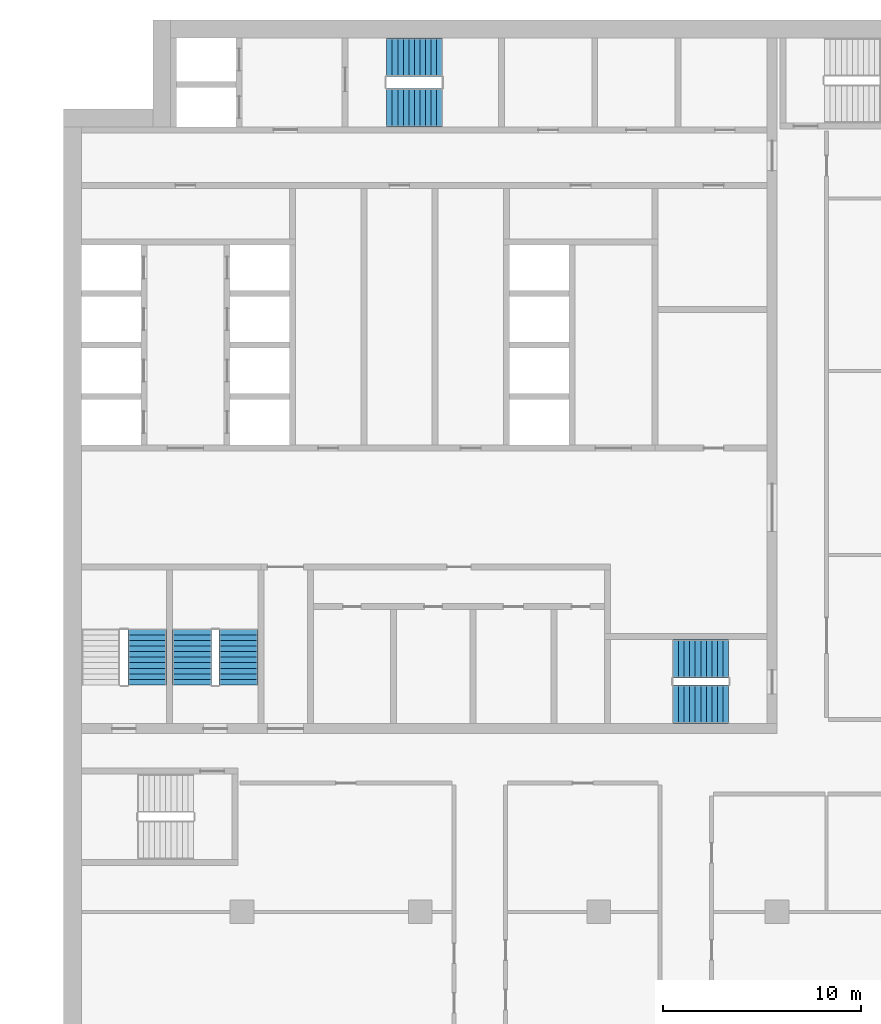
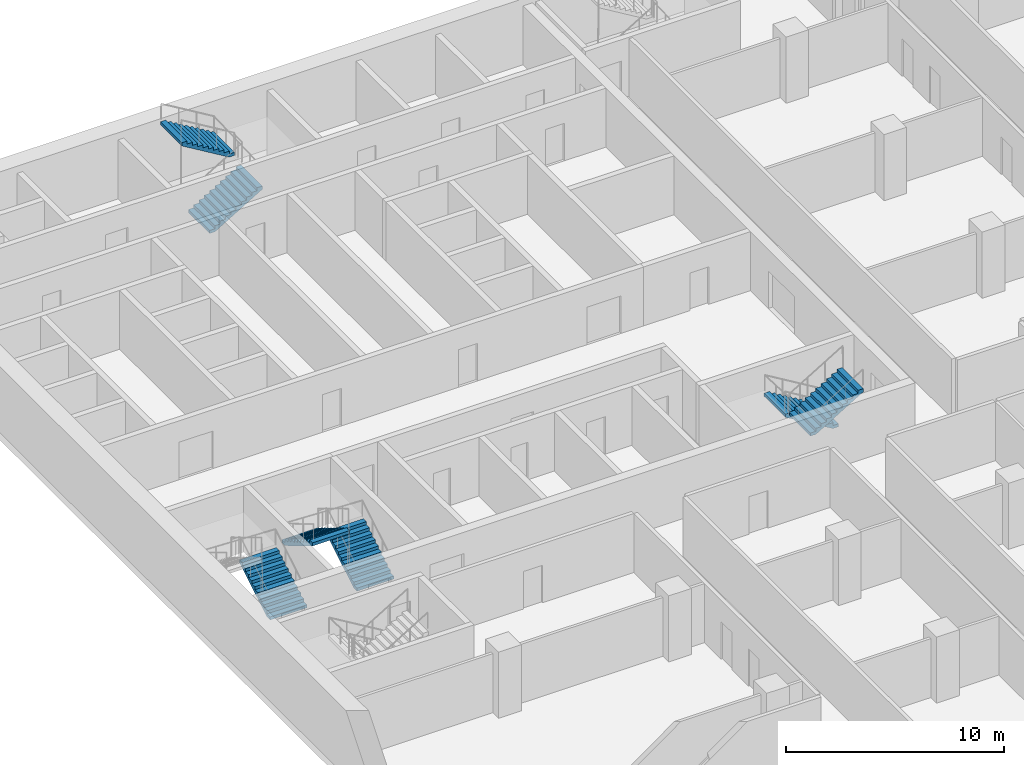
# One storey, part 17 of 23: 7 stair flights, 4 elements without a shape of their own.
"""IFC4 building model written with IfcOpenShell, lengths in metres."""

from ifc_helpers import new_model, si_unit, direction, frame, origin, place, context, subcontext, project, spatial, polyline, outline, extrude, material, type_object, element, aggregate, save


model = new_model("IFC4")

# Units and contexts
model_context = context("Model", 3, precision=1e-05, world=origin(), true_north=direction((0.0, 1.0)))
body_context = subcontext(model_context, "Body", "Model", "MODEL_VIEW")
ifc_project = project(units=[si_unit("LENGTHUNIT", "METRE"), si_unit("AREAUNIT", "SQUARE_METRE"), si_unit("VOLUMEUNIT", "CUBIC_METRE"), si_unit("PLANEANGLEUNIT", "RADIAN"), si_unit("MASSUNIT", "GRAM", prefix="KILO")], contexts=[model_context])

# Site, building, storey
site_placement = place(None, origin())
site = spatial("IfcSite", under=ifc_project, at=site_placement, CompositionType="ELEMENT")
building_placement = place(site_placement, origin())
building = spatial("IfcBuilding", under=site, at=building_placement, Name="Hunhe Ridgeline Campus", CompositionType="ELEMENT")
storey_placement = place(building_placement, frame((0.0, 0.0, 152.300048828125)))
storey = spatial("IfcBuildingStorey", under=building, at=storey_placement, Name="L38", CompositionType="ELEMENT", Elevation=152.300048828125)

# Stair, stair flights
ifc_material = material(Name="Concrete C40", Category="concrete")
stair_type = type_object("IfcStairType", Name="Reinforced concrete dog-leg stair 1950 Concrete C40", PredefinedType="HALF_TURN_STAIR", material=ifc_material)
stair_1_placement = place(storey_placement, origin())
stair_1 = element("IfcStair", 1, at=stair_1_placement, inside=storey, type_object=stair_type, Name="L38 S1", PredefinedType="HALF_TURN_STAIR")
stair_flight_type = type_object("IfcStairFlightType", Name="Reinforced concrete stair flight 1950 Concrete C40", PredefinedType="STRAIGHT", material=ifc_material)
stair_flight_1_placement = place(storey_placement, frame((16.300048828125, 94.574951171875, 0.0), z_axis=(0.0, 0.0, 1.0), x_axis=(1.0, 0.0, 0.0)))
stair_flight_1 = element("IfcStairFlight", 2, at=stair_flight_1_placement, type_object=stair_flight_type, Name="ST1 flight 1", NumberOfRisers=11, NumberOfTreads=10, PredefinedType="STRAIGHT", RiserHeight=0.168181818, TreadLength=0.28, context=body_context, shape_type="SweptSolid", body=[
    extrude(outline(polyline([(0.0, 0.0), (0.0, 0.168212890625), (0.280029296875, 0.168212890625), (0.280029296875, 0.33642578125), (0.56005859375, 0.33642578125), (0.56005859375, 0.504638671875), (0.840087890625, 0.504638671875), (0.840087890625, 0.672607421875), (1.1201171875, 0.672607421875), (1.1201171875, 0.8408203125), (1.39990234375, 0.8408203125), (1.39990234375, 1.009033203125), (1.679931640625, 1.009033203125), (1.679931640625, 1.17724609375), (1.9599609375, 1.17724609375), (1.9599609375, 1.345458984375), (2.239990234375, 1.345458984375), (2.239990234375, 1.513671875), (2.52001953125, 1.513671875), (2.52001953125, 1.681884765625), (2.800048828125, 1.681884765625), (2.800048828125, 1.85009765625), (2.800048828125, 1.5068359375), (0.291015625, 0.0), (0.0, 0.0)])), frame((0.0, 0.97509765625, 0.0), z_axis=(0.0, -1.0, 0.0), x_axis=(1.0, 0.0, 0.0)), (0.0, 0.0, 1.0), 1.949951171875),
    extrude(outline(polyline([(0.030029296875, 0.030029296875), (0.030029296875, 0.13818359375), (0.31005859375, 0.13818359375), (0.31005859375, 0.306396484375), (0.590087890625, 0.306396484375), (0.590087890625, 0.474609375), (0.8701171875, 0.474609375), (0.8701171875, 0.642578125), (1.14990234375, 0.642578125), (1.14990234375, 0.810791015625), (1.429931640625, 0.810791015625), (1.429931640625, 0.97900390625), (1.7099609375, 0.97900390625), (1.7099609375, 1.147216796875), (1.989990234375, 1.147216796875), (1.989990234375, 1.3154296875), (2.27001953125, 1.3154296875), (2.27001953125, 1.483642578125), (2.550048828125, 1.483642578125), (2.550048828125, 1.65185546875), (2.77001953125, 1.65185546875), (2.77001953125, 1.52392578125), (0.28271484375, 0.030029296875), (0.030029296875, 0.030029296875)])), frame((0.0, -0.070068359375, 0.0), z_axis=(0.0, -1.0, 0.0), x_axis=(1.0, 0.0, 0.0)), (0.0, 0.0, 1.0), 0.019775390625),
    extrude(outline(polyline([(0.030029296875, 0.030029296875), (0.030029296875, 0.13818359375), (0.31005859375, 0.13818359375), (0.31005859375, 0.306396484375), (0.590087890625, 0.306396484375), (0.590087890625, 0.474609375), (0.8701171875, 0.474609375), (0.8701171875, 0.642578125), (1.14990234375, 0.642578125), (1.14990234375, 0.810791015625), (1.429931640625, 0.810791015625), (1.429931640625, 0.97900390625), (1.7099609375, 0.97900390625), (1.7099609375, 1.147216796875), (1.989990234375, 1.147216796875), (1.989990234375, 1.3154296875), (2.27001953125, 1.3154296875), (2.27001953125, 1.483642578125), (2.550048828125, 1.483642578125), (2.550048828125, 1.65185546875), (2.77001953125, 1.65185546875), (2.77001953125, 1.52392578125), (0.28271484375, 0.030029296875), (0.030029296875, 0.030029296875)])), frame((0.0, 0.010009765625, 0.0), z_axis=(0.0, -1.0, 0.0), x_axis=(1.0, 0.0, 0.0)), (0.0, 0.0, 1.0), 0.019775390625),
    extrude(outline(polyline([(0.030029296875, 0.030029296875), (0.030029296875, 0.13818359375), (0.31005859375, 0.13818359375), (0.31005859375, 0.306396484375), (0.590087890625, 0.306396484375), (0.590087890625, 0.474609375), (0.8701171875, 0.474609375), (0.8701171875, 0.642578125), (1.14990234375, 0.642578125), (1.14990234375, 0.810791015625), (1.429931640625, 0.810791015625), (1.429931640625, 0.97900390625), (1.7099609375, 0.97900390625), (1.7099609375, 1.147216796875), (1.989990234375, 1.147216796875), (1.989990234375, 1.3154296875), (2.27001953125, 1.3154296875), (2.27001953125, 1.483642578125), (2.550048828125, 1.483642578125), (2.550048828125, 1.65185546875), (2.77001953125, 1.65185546875), (2.77001953125, 1.52392578125), (0.28271484375, 0.030029296875), (0.030029296875, 0.030029296875)])), frame((0.0, 0.090087890625, 0.0), z_axis=(0.0, -1.0, 0.0), x_axis=(1.0, 0.0, 0.0)), (0.0, 0.0, 1.0), 0.019775390625),
])
stair_flight_2_placement = place(storey_placement, frame((19.10009765625, 97.125, 1.849853515625), z_axis=(0.0, 0.0, 1.0), x_axis=(-1.0, 0.0, 0.0)))
stair_flight_2 = element("IfcStairFlight", 3, at=stair_flight_2_placement, type_object=stair_flight_type, Name="ST1 flight 2", NumberOfRisers=11, NumberOfTreads=10, PredefinedType="STRAIGHT", RiserHeight=0.168181818, TreadLength=0.28, context=body_context, shape_type="SweptSolid", body=[
    extrude(outline(polyline([(0.0, 0.0), (0.0, 0.168212890625), (0.280029296875, 0.168212890625), (0.280029296875, 0.33642578125), (0.56005859375, 0.33642578125), (0.56005859375, 0.504638671875), (0.840087890625, 0.504638671875), (0.840087890625, 0.672607421875), (1.1201171875, 0.672607421875), (1.1201171875, 0.8408203125), (1.39990234375, 0.8408203125), (1.39990234375, 1.009033203125), (1.679931640625, 1.009033203125), (1.679931640625, 1.17724609375), (1.9599609375, 1.17724609375), (1.9599609375, 1.345458984375), (2.239990234375, 1.345458984375), (2.239990234375, 1.513671875), (2.52001953125, 1.513671875), (2.52001953125, 1.681884765625), (2.800048828125, 1.681884765625), (2.800048828125, 1.85009765625), (2.800048828125, 1.5068359375), (0.291015625, 0.0), (0.0, 0.0)])), frame((0.0, 0.97509765625, 0.0), z_axis=(0.0, -1.0, 0.0), x_axis=(1.0, 0.0, 0.0)), (0.0, 0.0, 1.0), 1.949951171875),
    extrude(outline(polyline([(0.030029296875, 0.030029296875), (0.030029296875, 0.13818359375), (0.31005859375, 0.13818359375), (0.31005859375, 0.306396484375), (0.590087890625, 0.306396484375), (0.590087890625, 0.474609375), (0.8701171875, 0.474609375), (0.8701171875, 0.642578125), (1.14990234375, 0.642578125), (1.14990234375, 0.810791015625), (1.429931640625, 0.810791015625), (1.429931640625, 0.97900390625), (1.7099609375, 0.97900390625), (1.7099609375, 1.147216796875), (1.989990234375, 1.147216796875), (1.989990234375, 1.3154296875), (2.27001953125, 1.3154296875), (2.27001953125, 1.483642578125), (2.550048828125, 1.483642578125), (2.550048828125, 1.65185546875), (2.77001953125, 1.65185546875), (2.77001953125, 1.52392578125), (0.28271484375, 0.030029296875), (0.030029296875, 0.030029296875)])), frame((0.0, -0.070068359375, 0.0), z_axis=(0.0, -1.0, 0.0), x_axis=(1.0, 0.0, 0.0)), (0.0, 0.0, 1.0), 0.019775390625),
    extrude(outline(polyline([(0.030029296875, 0.030029296875), (0.030029296875, 0.13818359375), (0.31005859375, 0.13818359375), (0.31005859375, 0.306396484375), (0.590087890625, 0.306396484375), (0.590087890625, 0.474609375), (0.8701171875, 0.474609375), (0.8701171875, 0.642578125), (1.14990234375, 0.642578125), (1.14990234375, 0.810791015625), (1.429931640625, 0.810791015625), (1.429931640625, 0.97900390625), (1.7099609375, 0.97900390625), (1.7099609375, 1.147216796875), (1.989990234375, 1.147216796875), (1.989990234375, 1.3154296875), (2.27001953125, 1.3154296875), (2.27001953125, 1.483642578125), (2.550048828125, 1.483642578125), (2.550048828125, 1.65185546875), (2.77001953125, 1.65185546875), (2.77001953125, 1.52392578125), (0.28271484375, 0.030029296875), (0.030029296875, 0.030029296875)])), frame((0.0, 0.010009765625, 0.0), z_axis=(0.0, -1.0, 0.0), x_axis=(1.0, 0.0, 0.0)), (0.0, 0.0, 1.0), 0.019775390625),
    extrude(outline(polyline([(0.030029296875, 0.030029296875), (0.030029296875, 0.13818359375), (0.31005859375, 0.13818359375), (0.31005859375, 0.306396484375), (0.590087890625, 0.306396484375), (0.590087890625, 0.474609375), (0.8701171875, 0.474609375), (0.8701171875, 0.642578125), (1.14990234375, 0.642578125), (1.14990234375, 0.810791015625), (1.429931640625, 0.810791015625), (1.429931640625, 0.97900390625), (1.7099609375, 0.97900390625), (1.7099609375, 1.147216796875), (1.989990234375, 1.147216796875), (1.989990234375, 1.3154296875), (2.27001953125, 1.3154296875), (2.27001953125, 1.483642578125), (2.550048828125, 1.483642578125), (2.550048828125, 1.65185546875), (2.77001953125, 1.65185546875), (2.77001953125, 1.52392578125), (0.28271484375, 0.030029296875), (0.030029296875, 0.030029296875)])), frame((0.0, 0.090087890625, 0.0), z_axis=(0.0, -1.0, 0.0), x_axis=(1.0, 0.0, 0.0)), (0.0, 0.0, 1.0), 0.019775390625),
])
aggregate(stair_1, [stair_flight_1, stair_flight_2])

stair_2_placement = place(storey_placement, origin())
stair_2 = element("IfcStair", 4, at=stair_2_placement, inside=storey, type_object=stair_type, Name="L38 S2", PredefinedType="HALF_TURN_STAIR")
stair_flight_3_placement = place(storey_placement, frame((33.550048828125, 66.77490234375, 0.0), z_axis=(0.0, 0.0, 1.0), x_axis=(-1.0, 0.0, 0.0)))
stair_flight_3 = element("IfcStairFlight", 5, at=stair_flight_3_placement, type_object=stair_flight_type, Name="ST2 flight 1", NumberOfRisers=11, NumberOfTreads=10, PredefinedType="STRAIGHT", RiserHeight=0.168181818, TreadLength=0.28, context=body_context, shape_type="SweptSolid", body=[
    extrude(outline(polyline([(0.0, 0.0), (0.0, 0.168212890625), (0.280029296875, 0.168212890625), (0.280029296875, 0.33642578125), (0.56005859375, 0.33642578125), (0.56005859375, 0.504638671875), (0.840087890625, 0.504638671875), (0.840087890625, 0.672607421875), (1.1201171875, 0.672607421875), (1.1201171875, 0.8408203125), (1.39990234375, 0.8408203125), (1.39990234375, 1.009033203125), (1.679931640625, 1.009033203125), (1.679931640625, 1.17724609375), (1.9599609375, 1.17724609375), (1.9599609375, 1.345458984375), (2.239990234375, 1.345458984375), (2.239990234375, 1.513671875), (2.52001953125, 1.513671875), (2.52001953125, 1.681884765625), (2.800048828125, 1.681884765625), (2.800048828125, 1.85009765625), (2.800048828125, 1.5068359375), (0.291015625, 0.0), (0.0, 0.0)])), frame((0.0, 0.97509765625, 0.0), z_axis=(0.0, -1.0, 0.0), x_axis=(1.0, 0.0, 0.0)), (0.0, 0.0, 1.0), 1.949951171875),
    extrude(outline(polyline([(0.030029296875, 0.030029296875), (0.030029296875, 0.13818359375), (0.31005859375, 0.13818359375), (0.31005859375, 0.306396484375), (0.590087890625, 0.306396484375), (0.590087890625, 0.474609375), (0.8701171875, 0.474609375), (0.8701171875, 0.642578125), (1.14990234375, 0.642578125), (1.14990234375, 0.810791015625), (1.429931640625, 0.810791015625), (1.429931640625, 0.97900390625), (1.7099609375, 0.97900390625), (1.7099609375, 1.147216796875), (1.989990234375, 1.147216796875), (1.989990234375, 1.3154296875), (2.27001953125, 1.3154296875), (2.27001953125, 1.483642578125), (2.550048828125, 1.483642578125), (2.550048828125, 1.65185546875), (2.77001953125, 1.65185546875), (2.77001953125, 1.52392578125), (0.28271484375, 0.030029296875), (0.030029296875, 0.030029296875)])), frame((0.0, -0.070068359375, 0.0), z_axis=(0.0, -1.0, 0.0), x_axis=(1.0, 0.0, 0.0)), (0.0, 0.0, 1.0), 0.019775390625),
    extrude(outline(polyline([(0.030029296875, 0.030029296875), (0.030029296875, 0.13818359375), (0.31005859375, 0.13818359375), (0.31005859375, 0.306396484375), (0.590087890625, 0.306396484375), (0.590087890625, 0.474609375), (0.8701171875, 0.474609375), (0.8701171875, 0.642578125), (1.14990234375, 0.642578125), (1.14990234375, 0.810791015625), (1.429931640625, 0.810791015625), (1.429931640625, 0.97900390625), (1.7099609375, 0.97900390625), (1.7099609375, 1.147216796875), (1.989990234375, 1.147216796875), (1.989990234375, 1.3154296875), (2.27001953125, 1.3154296875), (2.27001953125, 1.483642578125), (2.550048828125, 1.483642578125), (2.550048828125, 1.65185546875), (2.77001953125, 1.65185546875), (2.77001953125, 1.52392578125), (0.28271484375, 0.030029296875), (0.030029296875, 0.030029296875)])), frame((0.0, 0.010009765625, 0.0), z_axis=(0.0, -1.0, 0.0), x_axis=(1.0, 0.0, 0.0)), (0.0, 0.0, 1.0), 0.019775390625),
    extrude(outline(polyline([(0.030029296875, 0.030029296875), (0.030029296875, 0.13818359375), (0.31005859375, 0.13818359375), (0.31005859375, 0.306396484375), (0.590087890625, 0.306396484375), (0.590087890625, 0.474609375), (0.8701171875, 0.474609375), (0.8701171875, 0.642578125), (1.14990234375, 0.642578125), (1.14990234375, 0.810791015625), (1.429931640625, 0.810791015625), (1.429931640625, 0.97900390625), (1.7099609375, 0.97900390625), (1.7099609375, 1.147216796875), (1.989990234375, 1.147216796875), (1.989990234375, 1.3154296875), (2.27001953125, 1.3154296875), (2.27001953125, 1.483642578125), (2.550048828125, 1.483642578125), (2.550048828125, 1.65185546875), (2.77001953125, 1.65185546875), (2.77001953125, 1.52392578125), (0.28271484375, 0.030029296875), (0.030029296875, 0.030029296875)])), frame((0.0, 0.090087890625, 0.0), z_axis=(0.0, -1.0, 0.0), x_axis=(1.0, 0.0, 0.0)), (0.0, 0.0, 1.0), 0.019775390625),
])
stair_flight_4_placement = place(storey_placement, frame((30.75, 64.47509765625, 1.849853515625), z_axis=(0.0, 0.0, 1.0), x_axis=(1.0, 0.0, 0.0)))
stair_flight_4 = element("IfcStairFlight", 6, at=stair_flight_4_placement, type_object=stair_flight_type, Name="ST2 flight 2", NumberOfRisers=11, NumberOfTreads=10, PredefinedType="STRAIGHT", RiserHeight=0.168181818, TreadLength=0.28, context=body_context, shape_type="SweptSolid", body=[
    extrude(outline(polyline([(0.0, 0.0), (0.0, 0.168212890625), (0.280029296875, 0.168212890625), (0.280029296875, 0.33642578125), (0.56005859375, 0.33642578125), (0.56005859375, 0.504638671875), (0.840087890625, 0.504638671875), (0.840087890625, 0.672607421875), (1.1201171875, 0.672607421875), (1.1201171875, 0.8408203125), (1.39990234375, 0.8408203125), (1.39990234375, 1.009033203125), (1.679931640625, 1.009033203125), (1.679931640625, 1.17724609375), (1.9599609375, 1.17724609375), (1.9599609375, 1.345458984375), (2.239990234375, 1.345458984375), (2.239990234375, 1.513671875), (2.52001953125, 1.513671875), (2.52001953125, 1.681884765625), (2.800048828125, 1.681884765625), (2.800048828125, 1.85009765625), (2.800048828125, 1.5068359375), (0.291015625, 0.0), (0.0, 0.0)])), frame((0.0, 0.97509765625, 0.0), z_axis=(0.0, -1.0, 0.0), x_axis=(1.0, 0.0, 0.0)), (0.0, 0.0, 1.0), 1.949951171875),
    extrude(outline(polyline([(0.030029296875, 0.030029296875), (0.030029296875, 0.13818359375), (0.31005859375, 0.13818359375), (0.31005859375, 0.306396484375), (0.590087890625, 0.306396484375), (0.590087890625, 0.474609375), (0.8701171875, 0.474609375), (0.8701171875, 0.642578125), (1.14990234375, 0.642578125), (1.14990234375, 0.810791015625), (1.429931640625, 0.810791015625), (1.429931640625, 0.97900390625), (1.7099609375, 0.97900390625), (1.7099609375, 1.147216796875), (1.989990234375, 1.147216796875), (1.989990234375, 1.3154296875), (2.27001953125, 1.3154296875), (2.27001953125, 1.483642578125), (2.550048828125, 1.483642578125), (2.550048828125, 1.65185546875), (2.77001953125, 1.65185546875), (2.77001953125, 1.52392578125), (0.28271484375, 0.030029296875), (0.030029296875, 0.030029296875)])), frame((0.0, -0.070068359375, 0.0), z_axis=(0.0, -1.0, 0.0), x_axis=(1.0, 0.0, 0.0)), (0.0, 0.0, 1.0), 0.019775390625),
    extrude(outline(polyline([(0.030029296875, 0.030029296875), (0.030029296875, 0.13818359375), (0.31005859375, 0.13818359375), (0.31005859375, 0.306396484375), (0.590087890625, 0.306396484375), (0.590087890625, 0.474609375), (0.8701171875, 0.474609375), (0.8701171875, 0.642578125), (1.14990234375, 0.642578125), (1.14990234375, 0.810791015625), (1.429931640625, 0.810791015625), (1.429931640625, 0.97900390625), (1.7099609375, 0.97900390625), (1.7099609375, 1.147216796875), (1.989990234375, 1.147216796875), (1.989990234375, 1.3154296875), (2.27001953125, 1.3154296875), (2.27001953125, 1.483642578125), (2.550048828125, 1.483642578125), (2.550048828125, 1.65185546875), (2.77001953125, 1.65185546875), (2.77001953125, 1.52392578125), (0.28271484375, 0.030029296875), (0.030029296875, 0.030029296875)])), frame((0.0, 0.010009765625, 0.0), z_axis=(0.0, -1.0, 0.0), x_axis=(1.0, 0.0, 0.0)), (0.0, 0.0, 1.0), 0.019775390625),
    extrude(outline(polyline([(0.030029296875, 0.030029296875), (0.030029296875, 0.13818359375), (0.31005859375, 0.13818359375), (0.31005859375, 0.306396484375), (0.590087890625, 0.306396484375), (0.590087890625, 0.474609375), (0.8701171875, 0.474609375), (0.8701171875, 0.642578125), (1.14990234375, 0.642578125), (1.14990234375, 0.810791015625), (1.429931640625, 0.810791015625), (1.429931640625, 0.97900390625), (1.7099609375, 0.97900390625), (1.7099609375, 1.147216796875), (1.989990234375, 1.147216796875), (1.989990234375, 1.3154296875), (2.27001953125, 1.3154296875), (2.27001953125, 1.483642578125), (2.550048828125, 1.483642578125), (2.550048828125, 1.65185546875), (2.77001953125, 1.65185546875), (2.77001953125, 1.52392578125), (0.28271484375, 0.030029296875), (0.030029296875, 0.030029296875)])), frame((0.0, 0.090087890625, 0.0), z_axis=(0.0, -1.0, 0.0), x_axis=(1.0, 0.0, 0.0)), (0.0, 0.0, 1.0), 0.019775390625),
])
aggregate(stair_2, [stair_flight_3, stair_flight_4])

# Stair, stair flight
stair_3_placement = place(storey_placement, origin())
stair_3 = element("IfcStair", 7, at=stair_3_placement, inside=storey, type_object=stair_type, Name="L38 S3", PredefinedType="HALF_TURN_STAIR")
stair_flight_5_placement = place(storey_placement, frame((4.22509765625, 65.449951171875, 0.0), z_axis=(0.0, 0.0, 1.0), x_axis=(0.0, 1.0, 0.0)))
stair_flight_5 = element("IfcStairFlight", 8, at=stair_flight_5_placement, type_object=stair_flight_type, Name="ST3 flight 1", NumberOfRisers=11, NumberOfTreads=10, PredefinedType="STRAIGHT", RiserHeight=0.168181818, TreadLength=0.28, context=body_context, shape_type="SweptSolid", body=[
    extrude(outline(polyline([(0.0, 0.0), (0.0, 0.168212890625), (0.280029296875, 0.168212890625), (0.280029296875, 0.33642578125), (0.56005859375, 0.33642578125), (0.56005859375, 0.504638671875), (0.840087890625, 0.504638671875), (0.840087890625, 0.672607421875), (1.1201171875, 0.672607421875), (1.1201171875, 0.8408203125), (1.39990234375, 0.8408203125), (1.39990234375, 1.009033203125), (1.679931640625, 1.009033203125), (1.679931640625, 1.17724609375), (1.9599609375, 1.17724609375), (1.9599609375, 1.345458984375), (2.239990234375, 1.345458984375), (2.239990234375, 1.513671875), (2.52001953125, 1.513671875), (2.52001953125, 1.681884765625), (2.800048828125, 1.681884765625), (2.800048828125, 1.85009765625), (2.800048828125, 1.5068359375), (0.291015625, 0.0), (0.0, 0.0)])), frame((0.0, 0.97509765625, 0.0), z_axis=(0.0, -1.0, 0.0), x_axis=(1.0, 0.0, 0.0)), (0.0, 0.0, 1.0), 1.949951171875),
    extrude(outline(polyline([(0.030029296875, 0.030029296875), (0.030029296875, 0.13818359375), (0.31005859375, 0.13818359375), (0.31005859375, 0.306396484375), (0.590087890625, 0.306396484375), (0.590087890625, 0.474609375), (0.8701171875, 0.474609375), (0.8701171875, 0.642578125), (1.14990234375, 0.642578125), (1.14990234375, 0.810791015625), (1.429931640625, 0.810791015625), (1.429931640625, 0.97900390625), (1.7099609375, 0.97900390625), (1.7099609375, 1.147216796875), (1.989990234375, 1.147216796875), (1.989990234375, 1.3154296875), (2.27001953125, 1.3154296875), (2.27001953125, 1.483642578125), (2.550048828125, 1.483642578125), (2.550048828125, 1.65185546875), (2.77001953125, 1.65185546875), (2.77001953125, 1.52392578125), (0.28271484375, 0.030029296875), (0.030029296875, 0.030029296875)])), frame((0.0, -0.070068359375, 0.0), z_axis=(0.0, -1.0, 0.0), x_axis=(1.0, 0.0, 0.0)), (0.0, 0.0, 1.0), 0.019775390625),
    extrude(outline(polyline([(0.030029296875, 0.030029296875), (0.030029296875, 0.13818359375), (0.31005859375, 0.13818359375), (0.31005859375, 0.306396484375), (0.590087890625, 0.306396484375), (0.590087890625, 0.474609375), (0.8701171875, 0.474609375), (0.8701171875, 0.642578125), (1.14990234375, 0.642578125), (1.14990234375, 0.810791015625), (1.429931640625, 0.810791015625), (1.429931640625, 0.97900390625), (1.7099609375, 0.97900390625), (1.7099609375, 1.147216796875), (1.989990234375, 1.147216796875), (1.989990234375, 1.3154296875), (2.27001953125, 1.3154296875), (2.27001953125, 1.483642578125), (2.550048828125, 1.483642578125), (2.550048828125, 1.65185546875), (2.77001953125, 1.65185546875), (2.77001953125, 1.52392578125), (0.28271484375, 0.030029296875), (0.030029296875, 0.030029296875)])), frame((0.0, 0.010009765625, 0.0), z_axis=(0.0, -1.0, 0.0), x_axis=(1.0, 0.0, 0.0)), (0.0, 0.0, 1.0), 0.019775390625),
    extrude(outline(polyline([(0.030029296875, 0.030029296875), (0.030029296875, 0.13818359375), (0.31005859375, 0.13818359375), (0.31005859375, 0.306396484375), (0.590087890625, 0.306396484375), (0.590087890625, 0.474609375), (0.8701171875, 0.474609375), (0.8701171875, 0.642578125), (1.14990234375, 0.642578125), (1.14990234375, 0.810791015625), (1.429931640625, 0.810791015625), (1.429931640625, 0.97900390625), (1.7099609375, 0.97900390625), (1.7099609375, 1.147216796875), (1.989990234375, 1.147216796875), (1.989990234375, 1.3154296875), (2.27001953125, 1.3154296875), (2.27001953125, 1.483642578125), (2.550048828125, 1.483642578125), (2.550048828125, 1.65185546875), (2.77001953125, 1.65185546875), (2.77001953125, 1.52392578125), (0.28271484375, 0.030029296875), (0.030029296875, 0.030029296875)])), frame((0.0, 0.090087890625, 0.0), z_axis=(0.0, -1.0, 0.0), x_axis=(1.0, 0.0, 0.0)), (0.0, 0.0, 1.0), 0.019775390625),
])
aggregate(stair_3, [stair_flight_5])

# Stair, stair flights
stair_4_placement = place(storey_placement, origin())
stair_4 = element("IfcStair", 9, at=stair_4_placement, inside=storey, type_object=stair_type, Name="L38 S4", PredefinedType="HALF_TURN_STAIR")
stair_flight_6_placement = place(storey_placement, frame((8.824951171875, 65.449951171875, 0.0), z_axis=(0.0, 0.0, 1.0), x_axis=(0.0, 1.0, 0.0)))
stair_flight_6 = element("IfcStairFlight", 10, at=stair_flight_6_placement, type_object=stair_flight_type, Name="ST4 flight 1", NumberOfRisers=11, NumberOfTreads=10, PredefinedType="STRAIGHT", RiserHeight=0.168181818, TreadLength=0.28, context=body_context, shape_type="SweptSolid", body=[
    extrude(outline(polyline([(0.0, 0.0), (0.0, 0.168212890625), (0.280029296875, 0.168212890625), (0.280029296875, 0.33642578125), (0.56005859375, 0.33642578125), (0.56005859375, 0.504638671875), (0.840087890625, 0.504638671875), (0.840087890625, 0.672607421875), (1.1201171875, 0.672607421875), (1.1201171875, 0.8408203125), (1.39990234375, 0.8408203125), (1.39990234375, 1.009033203125), (1.679931640625, 1.009033203125), (1.679931640625, 1.17724609375), (1.9599609375, 1.17724609375), (1.9599609375, 1.345458984375), (2.239990234375, 1.345458984375), (2.239990234375, 1.513671875), (2.52001953125, 1.513671875), (2.52001953125, 1.681884765625), (2.800048828125, 1.681884765625), (2.800048828125, 1.85009765625), (2.800048828125, 1.5068359375), (0.291015625, 0.0), (0.0, 0.0)])), frame((0.0, 0.97509765625, 0.0), z_axis=(0.0, -1.0, 0.0), x_axis=(1.0, 0.0, 0.0)), (0.0, 0.0, 1.0), 1.949951171875),
    extrude(outline(polyline([(0.030029296875, 0.030029296875), (0.030029296875, 0.13818359375), (0.31005859375, 0.13818359375), (0.31005859375, 0.306396484375), (0.590087890625, 0.306396484375), (0.590087890625, 0.474609375), (0.8701171875, 0.474609375), (0.8701171875, 0.642578125), (1.14990234375, 0.642578125), (1.14990234375, 0.810791015625), (1.429931640625, 0.810791015625), (1.429931640625, 0.97900390625), (1.7099609375, 0.97900390625), (1.7099609375, 1.147216796875), (1.989990234375, 1.147216796875), (1.989990234375, 1.3154296875), (2.27001953125, 1.3154296875), (2.27001953125, 1.483642578125), (2.550048828125, 1.483642578125), (2.550048828125, 1.65185546875), (2.77001953125, 1.65185546875), (2.77001953125, 1.52392578125), (0.28271484375, 0.030029296875), (0.030029296875, 0.030029296875)])), frame((0.0, -0.070068359375, 0.0), z_axis=(0.0, -1.0, 0.0), x_axis=(1.0, 0.0, 0.0)), (0.0, 0.0, 1.0), 0.019775390625),
    extrude(outline(polyline([(0.030029296875, 0.030029296875), (0.030029296875, 0.13818359375), (0.31005859375, 0.13818359375), (0.31005859375, 0.306396484375), (0.590087890625, 0.306396484375), (0.590087890625, 0.474609375), (0.8701171875, 0.474609375), (0.8701171875, 0.642578125), (1.14990234375, 0.642578125), (1.14990234375, 0.810791015625), (1.429931640625, 0.810791015625), (1.429931640625, 0.97900390625), (1.7099609375, 0.97900390625), (1.7099609375, 1.147216796875), (1.989990234375, 1.147216796875), (1.989990234375, 1.3154296875), (2.27001953125, 1.3154296875), (2.27001953125, 1.483642578125), (2.550048828125, 1.483642578125), (2.550048828125, 1.65185546875), (2.77001953125, 1.65185546875), (2.77001953125, 1.52392578125), (0.28271484375, 0.030029296875), (0.030029296875, 0.030029296875)])), frame((0.0, 0.010009765625, 0.0), z_axis=(0.0, -1.0, 0.0), x_axis=(1.0, 0.0, 0.0)), (0.0, 0.0, 1.0), 0.019775390625),
    extrude(outline(polyline([(0.030029296875, 0.030029296875), (0.030029296875, 0.13818359375), (0.31005859375, 0.13818359375), (0.31005859375, 0.306396484375), (0.590087890625, 0.306396484375), (0.590087890625, 0.474609375), (0.8701171875, 0.474609375), (0.8701171875, 0.642578125), (1.14990234375, 0.642578125), (1.14990234375, 0.810791015625), (1.429931640625, 0.810791015625), (1.429931640625, 0.97900390625), (1.7099609375, 0.97900390625), (1.7099609375, 1.147216796875), (1.989990234375, 1.147216796875), (1.989990234375, 1.3154296875), (2.27001953125, 1.3154296875), (2.27001953125, 1.483642578125), (2.550048828125, 1.483642578125), (2.550048828125, 1.65185546875), (2.77001953125, 1.65185546875), (2.77001953125, 1.52392578125), (0.28271484375, 0.030029296875), (0.030029296875, 0.030029296875)])), frame((0.0, 0.090087890625, 0.0), z_axis=(0.0, -1.0, 0.0), x_axis=(1.0, 0.0, 0.0)), (0.0, 0.0, 1.0), 0.019775390625),
])
stair_flight_7_placement = place(storey_placement, frame((6.47509765625, 68.25, 1.849853515625), z_axis=(0.0, 0.0, 1.0), x_axis=(0.0, -1.0, 0.0)))
stair_flight_7 = element("IfcStairFlight", 11, at=stair_flight_7_placement, type_object=stair_flight_type, Name="ST4 flight 2", NumberOfRisers=11, NumberOfTreads=10, PredefinedType="STRAIGHT", RiserHeight=0.168181818, TreadLength=0.28, context=body_context, shape_type="SweptSolid", body=[
    extrude(outline(polyline([(0.0, 0.0), (0.0, 0.168212890625), (0.280029296875, 0.168212890625), (0.280029296875, 0.33642578125), (0.56005859375, 0.33642578125), (0.56005859375, 0.504638671875), (0.840087890625, 0.504638671875), (0.840087890625, 0.672607421875), (1.1201171875, 0.672607421875), (1.1201171875, 0.8408203125), (1.39990234375, 0.8408203125), (1.39990234375, 1.009033203125), (1.679931640625, 1.009033203125), (1.679931640625, 1.17724609375), (1.9599609375, 1.17724609375), (1.9599609375, 1.345458984375), (2.239990234375, 1.345458984375), (2.239990234375, 1.513671875), (2.52001953125, 1.513671875), (2.52001953125, 1.681884765625), (2.800048828125, 1.681884765625), (2.800048828125, 1.85009765625), (2.800048828125, 1.5068359375), (0.291015625, 0.0), (0.0, 0.0)])), frame((0.0, 0.97509765625, 0.0), z_axis=(0.0, -1.0, 0.0), x_axis=(1.0, 0.0, 0.0)), (0.0, 0.0, 1.0), 1.949951171875),
    extrude(outline(polyline([(0.030029296875, 0.030029296875), (0.030029296875, 0.13818359375), (0.31005859375, 0.13818359375), (0.31005859375, 0.306396484375), (0.590087890625, 0.306396484375), (0.590087890625, 0.474609375), (0.8701171875, 0.474609375), (0.8701171875, 0.642578125), (1.14990234375, 0.642578125), (1.14990234375, 0.810791015625), (1.429931640625, 0.810791015625), (1.429931640625, 0.97900390625), (1.7099609375, 0.97900390625), (1.7099609375, 1.147216796875), (1.989990234375, 1.147216796875), (1.989990234375, 1.3154296875), (2.27001953125, 1.3154296875), (2.27001953125, 1.483642578125), (2.550048828125, 1.483642578125), (2.550048828125, 1.65185546875), (2.77001953125, 1.65185546875), (2.77001953125, 1.52392578125), (0.28271484375, 0.030029296875), (0.030029296875, 0.030029296875)])), frame((0.0, -0.070068359375, 0.0), z_axis=(0.0, -1.0, 0.0), x_axis=(1.0, 0.0, 0.0)), (0.0, 0.0, 1.0), 0.019775390625),
    extrude(outline(polyline([(0.030029296875, 0.030029296875), (0.030029296875, 0.13818359375), (0.31005859375, 0.13818359375), (0.31005859375, 0.306396484375), (0.590087890625, 0.306396484375), (0.590087890625, 0.474609375), (0.8701171875, 0.474609375), (0.8701171875, 0.642578125), (1.14990234375, 0.642578125), (1.14990234375, 0.810791015625), (1.429931640625, 0.810791015625), (1.429931640625, 0.97900390625), (1.7099609375, 0.97900390625), (1.7099609375, 1.147216796875), (1.989990234375, 1.147216796875), (1.989990234375, 1.3154296875), (2.27001953125, 1.3154296875), (2.27001953125, 1.483642578125), (2.550048828125, 1.483642578125), (2.550048828125, 1.65185546875), (2.77001953125, 1.65185546875), (2.77001953125, 1.52392578125), (0.28271484375, 0.030029296875), (0.030029296875, 0.030029296875)])), frame((0.0, 0.010009765625, 0.0), z_axis=(0.0, -1.0, 0.0), x_axis=(1.0, 0.0, 0.0)), (0.0, 0.0, 1.0), 0.019775390625),
    extrude(outline(polyline([(0.030029296875, 0.030029296875), (0.030029296875, 0.13818359375), (0.31005859375, 0.13818359375), (0.31005859375, 0.306396484375), (0.590087890625, 0.306396484375), (0.590087890625, 0.474609375), (0.8701171875, 0.474609375), (0.8701171875, 0.642578125), (1.14990234375, 0.642578125), (1.14990234375, 0.810791015625), (1.429931640625, 0.810791015625), (1.429931640625, 0.97900390625), (1.7099609375, 0.97900390625), (1.7099609375, 1.147216796875), (1.989990234375, 1.147216796875), (1.989990234375, 1.3154296875), (2.27001953125, 1.3154296875), (2.27001953125, 1.483642578125), (2.550048828125, 1.483642578125), (2.550048828125, 1.65185546875), (2.77001953125, 1.65185546875), (2.77001953125, 1.52392578125), (0.28271484375, 0.030029296875), (0.030029296875, 0.030029296875)])), frame((0.0, 0.090087890625, 0.0), z_axis=(0.0, -1.0, 0.0), x_axis=(1.0, 0.0, 0.0)), (0.0, 0.0, 1.0), 0.019775390625),
])
aggregate(stair_4, [stair_flight_6, stair_flight_7])

save(model, "model.ifc")
